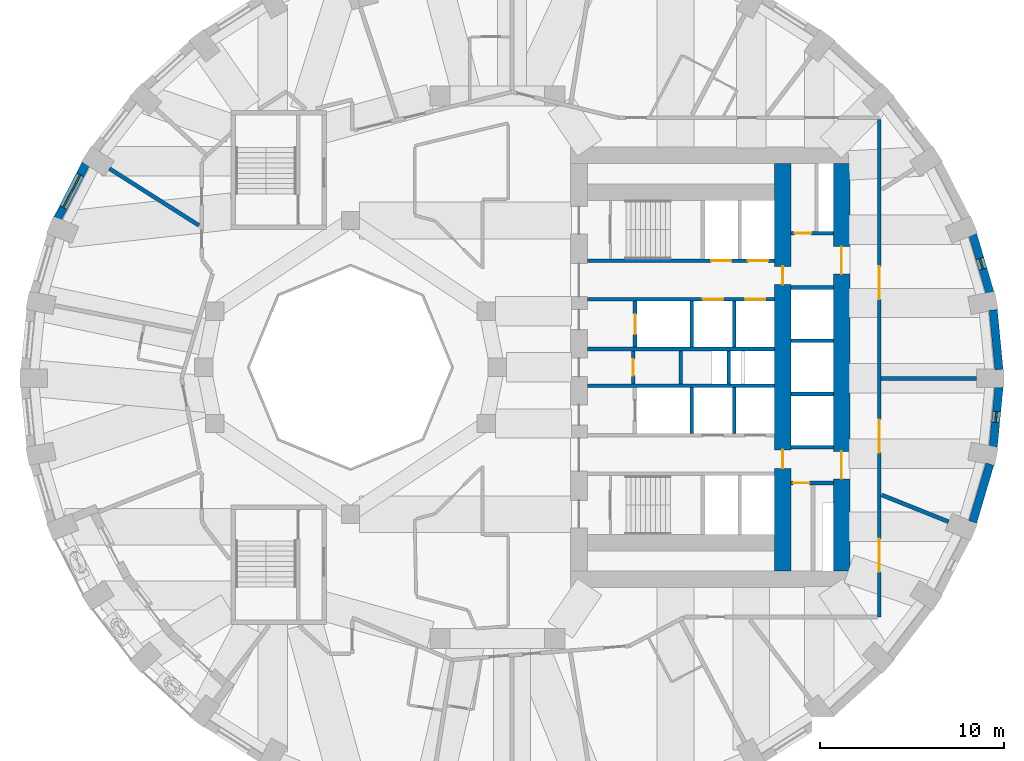
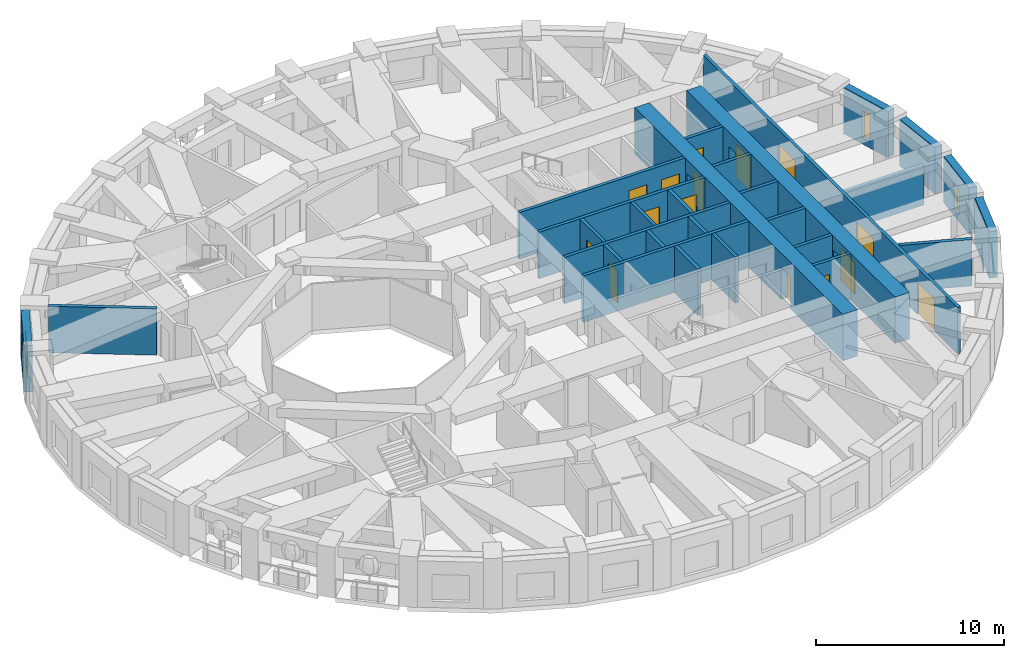
# One storey, part 6 of 12: 29 walls, 15 doors, 3 windows, 18 openings.
"""IFC4 building model written with IfcOpenShell, lengths in metres."""

import ifcopenshell
import ifcopenshell.guid

model = None  # the IFC model being written
_history = None  # IfcOwnerHistory: only IFC2X3 demands one
_inside = {}  # id of a spatial element -> (the spatial element, [elements in it])
_under = {}  # id of a project, library or spatial element -> (it, [spatial elements below it])
_declared = {}  # id of a project -> (the project, [libraries it declares])
_typed = {}  # id of a type object -> (the type object, [elements of that type])
_made_of = {}  # id of a material, layer set ... -> (it, [elements and type objects made of it])


def new_model(schema):
    """Start an empty IFC model of exactly this schema.

    Asked for "IFC4X3", IfcOpenShell would pick the latest addendum, in which some entities
    have other attributes; the version numbers below select the first issue.
    IFC2X3 requires an IfcOwnerHistory on every rooted entity: one is made here for all.
    """
    global model, _history
    if schema == "IFC4X3":
        model = ifcopenshell.file(schema_version=(4, 3, 0, 0))
    else:
        model = ifcopenshell.file(schema=schema)
    _inside.clear()
    _under.clear()
    _declared.clear()
    _typed.clear()
    _made_of.clear()
    _history = None
    if model.schema == "IFC2X3":
        org = make("IfcOrganization", Name="unknown")
        user = make(
            "IfcPersonAndOrganization",
            ThePerson=make("IfcPerson", FamilyName="unknown"),
            TheOrganization=org,
        )
        app = make(
            "IfcApplication",
            ApplicationDeveloper=org,
            Version="unknown",
            ApplicationFullName="unknown",
            ApplicationIdentifier="unknown",
        )
        _history = make(
            "IfcOwnerHistory",
            OwningUser=user,
            OwningApplication=app,
            ChangeAction="ADDED",
            CreationDate=0,
        )
    return model


def make(cls, **values):
    """One entity of the class cls with the attributes given. An attribute that is None is left unset."""
    return model.create_entity(
        cls, **{name: value for name, value in values.items() if value is not None}
    )


def rooted(cls, **values):
    """An entity with a GlobalId (a new one), such as an element, a storey or a relation."""
    return make(cls, GlobalId=ifcopenshell.guid.new(), OwnerHistory=_history, **values)


def si_unit(unit_type, name, prefix=None):
    """IfcSIUnit, for example si_unit("LENGTHUNIT", "METRE", prefix="MILLI")."""
    return make("IfcSIUnit", UnitType=unit_type, Prefix=prefix, Name=name)


def assignment(units):
    """IfcUnitAssignment: the units of a project."""
    return None if units is None else make("IfcUnitAssignment", Units=units)


def point(xyz):
    """IfcCartesianPoint."""
    return None if xyz is None else make("IfcCartesianPoint", Coordinates=xyz)


def direction(xyz):
    """IfcDirection."""
    return None if xyz is None else make("IfcDirection", DirectionRatios=xyz)


def frame(location, z_axis=None, x_axis=None):
    """IfcAxis2Placement3D, a coordinate frame: its origin and axes. An axis left out is left unset."""
    return make(
        "IfcAxis2Placement3D",
        Location=point(location),
        Axis=direction(z_axis),
        RefDirection=direction(x_axis),
    )


def frame_2d(location, x_axis=None):
    """IfcAxis2Placement2D, a coordinate frame in the plane: its origin and x axis."""
    return make(
        "IfcAxis2Placement2D", Location=point(location), RefDirection=direction(x_axis)
    )


def origin():
    """The frame at (0, 0, 0) with its axes left unset."""
    return frame((0.0, 0.0, 0.0))


def place(relative_to, where):
    """IfcLocalPlacement: puts the frame where relative to a parent placement (None: the world)."""
    return make(
        "IfcLocalPlacement", PlacementRelTo=relative_to, RelativePlacement=where
    )


def context(
    kind, dimensions, precision=None, world=None, true_north=None, identifier=None
):
    """IfcGeometricRepresentationContext, for example the 3D "Model" context."""
    return make(
        "IfcGeometricRepresentationContext",
        ContextIdentifier=identifier,
        ContextType=kind,
        CoordinateSpaceDimension=dimensions,
        Precision=precision,
        WorldCoordinateSystem=world,
        TrueNorth=true_north,
    )


def subcontext(parent, identifier, kind, view, scale=None):
    """IfcGeometricRepresentationSubContext, for example "Body" below "Model"."""
    return make(
        "IfcGeometricRepresentationSubContext",
        ContextIdentifier=identifier,
        ContextType=kind,
        ParentContext=parent,
        TargetScale=scale,
        TargetView=view,
    )


def project(units=None, contexts=None):
    """IfcProject with its units and contexts."""
    return rooted(
        "IfcProject",
        Name="project",
        RepresentationContexts=contexts,
        UnitsInContext=assignment(units),
    )


def spatial(cls, under=None, at=None, **own):
    """A site, building, storey or space (cls), placed at a placement, below another one or the project."""
    s = rooted(cls, ObjectPlacement=at, **own)
    if under is not None:
        _under.setdefault(under.id(), (under, []))[1].append(s)
    return s


def profile(cls, at=None, kind="AREA", **sizes):
    """A parametric profile (cls). Its sizes go by their IFC names, for example OverallWidth=200.0."""
    return make(cls, ProfileType=kind, Position=at, **sizes)


def rectangle(**sizes):
    """IfcRectangleProfileDef."""
    return profile("IfcRectangleProfileDef", **sizes)


def extrude(swept, where, along, depth):
    """IfcExtrudedAreaSolid: the profile swept, set in the frame where, extruded along a direction by depth."""
    return make(
        "IfcExtrudedAreaSolid",
        SweptArea=swept,
        Position=where,
        ExtrudedDirection=direction(along),
        Depth=depth,
    )


def shape(context_of_items, identifier, shape_type, items):
    """IfcShapeRepresentation: the items that make up one representation, for example the "Body"."""
    return make(
        "IfcShapeRepresentation",
        ContextOfItems=context_of_items,
        RepresentationIdentifier=identifier,
        RepresentationType=shape_type,
        Items=items,
    )


def material(Name=None, Category=None):
    """IfcMaterial."""
    return make("IfcMaterial", Name=Name, Category=Category)


def layer(
    of_material, thickness, ventilated=None, Name=None, Category=None, Priority=None
):
    """IfcMaterialLayer: one layer of a wall or slab, of a material (None: an air gap)."""
    return make(
        "IfcMaterialLayer",
        Material=of_material,
        LayerThickness=thickness,
        IsVentilated=ventilated,
        Name=Name,
        Category=Category,
        Priority=Priority,
    )


def layer_set(layers, Name=None):
    """IfcMaterialLayerSet."""
    return make("IfcMaterialLayerSet", MaterialLayers=layers, LayerSetName=Name)


def made_of(thing, what):
    """Note that an element or type object is made of a material, layer set ...; save() writes the relation."""
    if what is not None:
        _made_of.setdefault(what.id(), (what, []))[1].append(thing)
    return thing


def type_object(cls, material=None, **own):
    """A type object (cls), such as IfcWallType, which elements share."""
    return made_of(rooted(cls, **own), material)


def element(
    cls,
    number,
    at=None,
    inside=None,
    cuts=None,
    type_object=None,
    material=None,
    context=None,
    identifier="Body",
    shape_type=None,
    held_by="IfcProductDefinitionShape",
    body=None,
    shapes=None,
    **own,
):
    """One element of the class cls, such as IfcWall. Its Tag is "e" and its number.

    at: its placement. inside: the storey or other place that contains it. cuts: it is an
    opening in that element (IfcRelVoidsElement). A single representation is given by context,
    identifier, shape_type and body (its items); several are given by shapes. held_by: the class
    of the entity that holds the representations. save() writes the other relations.
    """
    e = rooted(cls, Tag="e%d" % number, ObjectPlacement=at, **own)
    if body is not None:
        shapes = [shape(context, identifier, shape_type, body)]
    if shapes is not None:
        e.Representation = make(held_by, Representations=shapes)
    if inside is not None:
        _inside.setdefault(inside.id(), (inside, []))[1].append(e)
    if cuts is not None:
        rooted(
            "IfcRelVoidsElement", RelatingBuildingElement=cuts, RelatedOpeningElement=e
        )
    if type_object is not None:
        _typed.setdefault(type_object.id(), (type_object, []))[1].append(e)
    return made_of(e, material)


def fill(opening, filler):
    """IfcRelFillsElement: the door or window that sits in an opening."""
    return rooted(
        "IfcRelFillsElement",
        RelatingOpeningElement=opening,
        RelatedBuildingElement=filler,
    )


def aggregate(whole, parts):
    """IfcRelAggregates: a whole, such as a stair, and the parts it consists of."""
    return rooted("IfcRelAggregates", RelatingObject=whole, RelatedObjects=parts)


def save(model, path):
    """Write the relations noted so far, then the file.

    IfcRelAggregates (storeys below a building ...), IfcRelContainedInSpatialStructure (elements
    in a storey), IfcRelDefinesByType, IfcRelAssociatesMaterial and IfcRelDeclares: one each for
    every whole, place, type object, material and project.
    """
    for whole, parts in _under.values():
        aggregate(whole, parts)
    for where, things in _inside.values():
        rooted(
            "IfcRelContainedInSpatialStructure",
            RelatedElements=things,
            RelatingStructure=where,
        )
    for kind, things in _typed.values():
        rooted("IfcRelDefinesByType", RelatedObjects=things, RelatingType=kind)
    for what, things in _made_of.values():
        rooted("IfcRelAssociatesMaterial", RelatedObjects=things, RelatingMaterial=what)
    for by, libraries in _declared.values():
        rooted("IfcRelDeclares", RelatingContext=by, RelatedDefinitions=libraries)
    model.write(path)


model = new_model("IFC4")

# Units and contexts
model_context = context("Model", 3, precision=1e-05, world=origin(), true_north=direction((0.0, 1.0)))
body_context = subcontext(model_context, "Body", "Model", "MODEL_VIEW")
ifc_project = project(units=[si_unit("LENGTHUNIT", "METRE"), si_unit("AREAUNIT", "SQUARE_METRE"), si_unit("VOLUMEUNIT", "CUBIC_METRE"), si_unit("PLANEANGLEUNIT", "RADIAN"), si_unit("MASSUNIT", "GRAM", prefix="KILO")], contexts=[model_context])

# Site, building, storey
site_placement = place(None, origin())
site = spatial("IfcSite", under=ifc_project, at=site_placement, CompositionType="ELEMENT")
building_placement = place(site_placement, origin())
building = spatial("IfcBuilding", under=site, at=building_placement, Name="Taillehof Tower", CompositionType="ELEMENT")
storey_placement = place(building_placement, frame((0.0, 0.0, 88.89990234375)))
storey = spatial("IfcBuildingStorey", under=building, at=storey_placement, Name="L24", CompositionType="ELEMENT", Elevation=88.89990234375)

# Wall
ifc_material_1 = material(Name="Brick masonry", Category="masonry")
ifc_layer_1 = layer(ifc_material_1, 0.449951171875)
ifc_layer_set_1 = layer_set([ifc_layer_1], Name="Brick infill wall 450")
wall_type_1 = type_object("IfcWallType", Name="Brick infill wall 450", PredefinedType="SOLIDWALL", material=ifc_layer_set_1)
wall_1_placement = place(storey_placement, frame((27.32763671875, -0.119873046875, 0.0), z_axis=(0.0, 0.0, 1.0), x_axis=(-0.09589355735, 0.995391594127, 0.0)))
element("IfcWall", 1, at=wall_1_placement, inside=storey, type_object=wall_type_1, Name="Brick wall L24 bay 1", PredefinedType="SOLIDWALL", context=body_context, shape_type="SweptSolid", body=[
    extrude(rectangle(XDim=3.261474609375, YDim=0.449951171875, at=frame_2d((1.630859375, 0.0))), origin(), (0.0, 0.0, 1.0), 3.02001953125),
])

# Wall, opening, window
wall_2_placement = place(storey_placement, frame((26.83203125, 4.069091796875, 0.0), z_axis=(0.0, 0.0, 1.0), x_axis=(-0.283002902729, 0.959119052593, 0.0)))
wall_2 = element("IfcWall", 2, at=wall_2_placement, inside=storey, type_object=wall_type_1, Name="Brick wall L24 bay 2", PredefinedType="SOLIDWALL", context=body_context, shape_type="SweptSolid", body=[
    extrude(rectangle(XDim=3.285888671875, YDim=0.449951171875, at=frame_2d((1.64306640625, 0.0))), origin(), (0.0, 0.0, 1.0), 3.02001953125),
])
opening_1_placement = place(wall_2_placement, frame((1.343017578125, 0.0, 0.39990234375)))
opening_1 = element("IfcOpeningElement", 3, at=opening_1_placement, cuts=wall_2, Name="Opening W6", PredefinedType="OPENING", context=body_context, shape_type="SweptSolid", body=[
    extrude(rectangle(XDim=0.60009765625, YDim=1.75, at=frame_2d((0.300048828125, 0.875))), frame((0.0, 0.23486328125, 0.0), z_axis=(0.0, -1.0, 0.0), x_axis=(1.0, 0.0, 0.0)), (0.0, 0.0, 1.0), 0.469970703125),
])
ifc_material_2 = material(Name="Aluminium window frame with clear double glazing", Category="aluminium")
window_type_1 = type_object("IfcWindowType", Name="Slot window 600x1750", PartitioningType="SINGLE_PANEL", PredefinedType="WINDOW", material=ifc_material_2)
window_1_placement = place(opening_1_placement, origin())
window_1 = element("IfcWindow", 4, at=window_1_placement, inside=storey, type_object=window_type_1, Name="W6", OverallHeight=1.75, OverallWidth=0.60009765625, PartitioningType="SINGLE_PANEL", PredefinedType="WINDOW", context=body_context, shape_type="SweptSolid", body=[
    extrude(rectangle(XDim=0.60009765625, YDim=1.75, at=frame_2d((0.300048828125, 0.875))), frame((0.0, 0.034912109375, 0.0), z_axis=(0.0, -1.0, 0.0), x_axis=(1.0, 0.0, 0.0)), (0.0, 0.0, 1.0), 0.06005859375),
])
fill(opening_1, window_1)

wall_3_placement = place(storey_placement, frame((-22.4228515625, 11.076904296875, 0.0), z_axis=(0.0, 0.0, 1.0), x_axis=(-0.456828186229, -0.889554949549, 0.0)))
wall_3 = element("IfcWall", 5, at=wall_3_placement, inside=storey, type_object=wall_type_1, Name="Brick wall L24 bay 16", PredefinedType="SOLIDWALL", context=body_context, shape_type="SweptSolid", body=[
    extrude(rectangle(XDim=3.332763671875, YDim=0.449951171875, at=frame_2d((1.66650390625, 0.0))), origin(), (0.0, 0.0, 1.0), 3.02001953125),
])
opening_2_placement = place(wall_3_placement, frame((0.666259765625, 0.0, 0.39990234375)))
opening_2 = element("IfcOpeningElement", 6, at=opening_2_placement, cuts=wall_3, Name="Opening W2", PredefinedType="OPENING", context=body_context, shape_type="SweptSolid", body=[
    extrude(rectangle(XDim=2.0, YDim=1.75, at=frame_2d((1.0, 0.875))), frame((0.0, 0.23486328125, 0.0), z_axis=(0.0, -1.0, 0.0), x_axis=(1.0, 0.0, 0.0)), (0.0, 0.0, 1.0), 0.469970703125),
])
ifc_material_3 = material(Name="Aluminium window frame with clear double glazing", Category="aluminium")
window_type_2 = type_object("IfcWindowType", Name="Deep-set window 2000x1750", PartitioningType="SINGLE_PANEL", PredefinedType="WINDOW", material=ifc_material_3)
window_2_placement = place(opening_2_placement, origin())
window_2 = element("IfcWindow", 7, at=window_2_placement, inside=storey, type_object=window_type_2, Name="W2", OverallHeight=1.75, OverallWidth=2.0, PartitioningType="SINGLE_PANEL", PredefinedType="WINDOW", context=body_context, shape_type="SweptSolid", body=[
    extrude(rectangle(XDim=2.0, YDim=1.75, at=frame_2d((1.0, 0.875))), frame((0.0, 0.034912109375, 0.0), z_axis=(0.0, -1.0, 0.0), x_axis=(1.0, 0.0, 0.0)), (0.0, 0.0, 1.0), 0.06005859375),
])
fill(opening_2, window_2)

# Wall
wall_4_placement = place(storey_placement, frame((25.902099609375, -8.4208984375, 0.0), z_axis=(0.0, 0.0, 1.0), x_axis=(0.282982737009, 0.95912500257, 0.0)))
element("IfcWall", 8, at=wall_4_placement, inside=storey, type_object=wall_type_1, Name="Brick wall L24 bay 35", PredefinedType="SOLIDWALL", context=body_context, shape_type="SweptSolid", body=[
    extrude(rectangle(XDim=3.2861328125, YDim=0.449951171875, at=frame_2d((1.64306640625, 0.0))), origin(), (0.0, 0.0, 1.0), 3.02001953125),
])

# Wall, opening, window
wall_5_placement = place(storey_placement, frame((27.014892578125, -4.326416015625, 0.0), z_axis=(0.0, 0.0, 1.0), x_axis=(0.09589355735, 0.995391594127, 0.0)))
wall_5 = element("IfcWall", 9, at=wall_5_placement, inside=storey, type_object=wall_type_1, Name="Brick wall L24 bay 36", PredefinedType="SOLIDWALL", context=body_context, shape_type="SweptSolid", body=[
    extrude(rectangle(XDim=3.261474609375, YDim=0.449951171875, at=frame_2d((1.630859375, 0.0))), origin(), (0.0, 0.0, 1.0), 3.02001953125),
])
opening_3_placement = place(wall_5_placement, frame((1.33056640625, 0.0, 0.39990234375)))
opening_3 = element("IfcOpeningElement", 10, at=opening_3_placement, cuts=wall_5, Name="Opening W6", PredefinedType="OPENING", context=body_context, shape_type="SweptSolid", body=[
    extrude(rectangle(XDim=0.60009765625, YDim=1.75, at=frame_2d((0.300048828125, 0.875))), frame((0.0, 0.23486328125, 0.0), z_axis=(0.0, -1.0, 0.0), x_axis=(1.0, 0.0, 0.0)), (0.0, 0.0, 1.0), 0.469970703125),
])
window_3_placement = place(opening_3_placement, origin())
window_3 = element("IfcWindow", 11, at=window_3_placement, inside=storey, type_object=window_type_1, Name="W6", OverallHeight=1.75, OverallWidth=0.60009765625, PartitioningType="SINGLE_PANEL", PredefinedType="WINDOW", context=body_context, shape_type="SweptSolid", body=[
    extrude(rectangle(XDim=0.60009765625, YDim=1.75, at=frame_2d((0.300048828125, 0.875))), frame((0.0, 0.034912109375, 0.0), z_axis=(0.0, -1.0, 0.0), x_axis=(1.0, 0.0, 0.0)), (0.0, 0.0, 1.0), 0.06005859375),
])
fill(opening_3, window_3)

# Wall, opening, door
ifc_material_4 = material(Name="Calcium silicate masonry", Category="masonry")
ifc_layer_2 = layer(ifc_material_4, 0.199951171875)
ifc_layer_set_2 = layer_set([ifc_layer_2], Name="Compartment wall calcium silicate 200")
wall_type_2 = type_object("IfcWallType", Name="Compartment wall calcium silicate 200", PredefinedType="PARTITIONING", material=ifc_layer_set_2)
wall_6_placement = place(storey_placement, frame((7.39990234375, -0.89990234375, 0.0), z_axis=(0.0, 0.0, 1.0), x_axis=(0.0, 1.0, 0.0)))
wall_6 = element("IfcWall", 12, at=wall_6_placement, inside=storey, type_object=wall_type_2, Name="Compartment wall FW", PredefinedType="PARTITIONING", context=body_context, shape_type="SweptSolid", body=[
    extrude(rectangle(XDim=1.7998046875, YDim=0.199951171875, at=frame_2d((0.89990234375, 0.0))), origin(), (0.0, 0.0, 1.0), 3.02001953125),
])
opening_4_placement = place(wall_6_placement, frame((0.449951171875, 0.0, 0.0)))
opening_4 = element("IfcOpeningElement", 13, at=opening_4_placement, cuts=wall_6, Name="Opening D2414", PredefinedType="OPENING", context=body_context, shape_type="SweptSolid", body=[
    extrude(rectangle(XDim=0.89990234375, YDim=2.10009765625, at=frame_2d((0.449951171875, 1.050048828125))), frame((0.0, 0.10986328125, 0.0), z_axis=(0.0, -1.0, 0.0), x_axis=(1.0, 0.0, 0.0)), (0.0, 0.0, 1.0), 0.219970703125),
])
ifc_material_5 = material(Name="Steel-faced fire door", Category="steel")
door_type_1 = type_object("IfcDoorType", Name="Riser and service room door 900x2100", OperationType="SINGLE_SWING_LEFT", PredefinedType="DOOR", material=ifc_material_5)
door_1_placement = place(opening_4_placement, origin())
door_1 = element("IfcDoor", 14, at=door_1_placement, inside=storey, type_object=door_type_1, Name="Door Waste Room", OperationType="SINGLE_SWING_RIGHT", OverallHeight=2.10009765625, OverallWidth=0.89990234375, PredefinedType="DOOR", context=body_context, shape_type="SweptSolid", body=[
    extrude(rectangle(XDim=0.89990234375, YDim=2.10009765625, at=frame_2d((0.449951171875, 1.050048828125))), frame((0.0, 0.02490234375, 0.0), z_axis=(0.0, -1.0, 0.0), x_axis=(1.0, 0.0, 0.0)), (0.0, 0.0, 1.0), 0.050048828125),
])
fill(opening_4, door_1)

# Walls
for number, where, z_axis, x_axis, name in (
    (15, (10.0, -0.89990234375, 0.0), (0.0, 0.0, 1.0), (0.0, 1.0, 0.0), "Compartment wall FW"),
    (16, (12.60009765625, -0.89990234375, 0.0), (0.0, 0.0, 1.0), (0.0, 1.0, 0.0), "Compartment wall FW"),
):
    element("IfcWall", number, at=place(storey_placement, frame(where, z_axis=z_axis, x_axis=x_axis)), inside=storey, type_object=wall_type_2, Name=name, PredefinedType="PARTITIONING", context=body_context, shape_type="SweptSolid", body=[
        extrude(rectangle(XDim=1.7998046875, YDim=0.199951171875, at=frame_2d((0.89990234375, 0.0))), origin(), (0.0, 0.0, 1.0), 3.02001953125),
    ])

# Wall, opening, door
wall_7_placement = place(storey_placement, frame((16.0, 7.300048828125, 0.0), z_axis=(0.0, 0.0, 1.0), x_axis=(1.0, 0.0, 0.0)))
wall_7 = element("IfcWall", 17, at=wall_7_placement, inside=storey, type_object=wall_type_2, Name="Compartment wall FW", PredefinedType="PARTITIONING", context=body_context, shape_type="SweptSolid", body=[
    extrude(rectangle(XDim=2.300048828125, YDim=0.199951171875, at=frame_2d((1.14990234375, 0.0))), origin(), (0.0, 0.0, 1.0), 3.02001953125),
])
opening_5_placement = place(wall_7_placement, frame((0.199951171875, 0.0, 0.0)))
opening_5 = element("IfcOpeningElement", 18, at=opening_5_placement, cuts=wall_7, Name="Opening D2416", PredefinedType="OPENING", context=body_context, shape_type="SweptSolid", body=[
    extrude(rectangle(XDim=0.89990234375, YDim=2.10009765625, at=frame_2d((0.449951171875, 1.050048828125))), frame((0.0, 0.10986328125, 0.0), z_axis=(0.0, -1.0, 0.0), x_axis=(1.0, 0.0, 0.0)), (0.0, 0.0, 1.0), 0.219970703125),
])
door_2_placement = place(opening_5_placement, origin())
door_2 = element("IfcDoor", 19, at=door_2_placement, inside=storey, type_object=door_type_1, Name="Door Electrical Room", OperationType="SINGLE_SWING_RIGHT", OverallHeight=2.10009765625, OverallWidth=0.89990234375, PredefinedType="DOOR", context=body_context, shape_type="SweptSolid", body=[
    extrude(rectangle(XDim=0.89990234375, YDim=2.10009765625, at=frame_2d((0.449951171875, 1.050048828125))), frame((0.0, 0.02490234375, 0.0), z_axis=(0.0, -1.0, 0.0), x_axis=(1.0, 0.0, 0.0)), (0.0, 0.0, 1.0), 0.050048828125),
])
fill(opening_5, door_2)

wall_8_placement = place(storey_placement, frame((16.0, -6.300048828125, 0.0), z_axis=(0.0, 0.0, 1.0), x_axis=(1.0, 0.0, 0.0)))
wall_8 = element("IfcWall", 20, at=wall_8_placement, inside=storey, type_object=wall_type_2, Name="Compartment wall FW", PredefinedType="PARTITIONING", context=body_context, shape_type="SweptSolid", body=[
    extrude(rectangle(XDim=2.300048828125, YDim=0.199951171875, at=frame_2d((1.14990234375, 0.0))), origin(), (0.0, 0.0, 1.0), 3.02001953125),
])
opening_6_placement = place(wall_8_placement, frame((0.10009765625, 0.0, 0.0)))
opening_6 = element("IfcOpeningElement", 21, at=opening_6_placement, cuts=wall_8, Name="Opening D2418", PredefinedType="OPENING", context=body_context, shape_type="SweptSolid", body=[
    extrude(rectangle(XDim=0.89990234375, YDim=2.10009765625, at=frame_2d((0.449951171875, 1.050048828125))), frame((0.0, 0.10986328125, 0.0), z_axis=(0.0, -1.0, 0.0), x_axis=(1.0, 0.0, 0.0)), (0.0, 0.0, 1.0), 0.219970703125),
])
door_3_placement = place(opening_6_placement, origin())
door_3 = element("IfcDoor", 22, at=door_3_placement, inside=storey, type_object=door_type_1, Name="Door Comms Room", OperationType="SINGLE_SWING_LEFT", OverallHeight=2.10009765625, OverallWidth=0.89990234375, PredefinedType="DOOR", context=body_context, shape_type="SweptSolid", body=[
    extrude(rectangle(XDim=0.89990234375, YDim=2.10009765625, at=frame_2d((0.449951171875, 1.050048828125))), frame((0.0, 0.02490234375, 0.0), z_axis=(0.0, -1.0, 0.0), x_axis=(1.0, 0.0, 0.0)), (0.0, 0.0, 1.0), 0.050048828125),
])
fill(opening_6, door_3)

# Wall, openings, doors
ifc_material_6 = material(Name="Gypsum board on steel studs, two layers each side", Category="steel")
ifc_layer_3 = layer(ifc_material_6, 0.199951171875)
ifc_layer_set_3 = layer_set([ifc_layer_3], Name="Compartment wall corridor 200")
wall_type_3 = type_object("IfcWallType", Name="Compartment wall corridor 200", PredefinedType="PARTITIONING", material=ifc_layer_set_3)
wall_9_placement = place(storey_placement, frame((20.800048828125, 13.5, 0.0), z_axis=(0.0, 0.0, 1.0), x_axis=(0.0, -1.0, 0.0)))
wall_9 = element("IfcWall", 23, at=wall_9_placement, inside=storey, type_object=wall_type_3, Name="Compartment wall", PredefinedType="PARTITIONING", context=body_context, shape_type="SweptSolid", body=[
    extrude(rectangle(XDim=27.10009765625, YDim=0.199951171875, at=frame_2d((13.550048828125, 0.0))), origin(), (0.0, 0.0, 1.0), 3.02001953125),
])
opening_7_placement = place(wall_9_placement, frame((22.84375, 0.0, 0.0)))
opening_7 = element("IfcOpeningElement", 24, at=opening_7_placement, cuts=wall_9, Name="Opening D2461", PredefinedType="OPENING", context=body_context, shape_type="SweptSolid", body=[
    extrude(rectangle(XDim=1.800048828125, YDim=2.10009765625, at=frame_2d((0.89990234375, 1.050048828125))), frame((0.0, 0.10986328125, 0.0), z_axis=(0.0, -1.0, 0.0), x_axis=(1.0, 0.0, 0.0)), (0.0, 0.0, 1.0), 0.219970703125),
])
opening_8_placement = place(wall_9_placement, frame((16.349609375, 0.0, 0.0)))
opening_8 = element("IfcOpeningElement", 25, at=opening_8_placement, cuts=wall_9, Name="Opening D2462", PredefinedType="OPENING", context=body_context, shape_type="SweptSolid", body=[
    extrude(rectangle(XDim=1.800048828125, YDim=2.10009765625, at=frame_2d((0.89990234375, 1.050048828125))), frame((0.0, 0.10986328125, 0.0), z_axis=(0.0, -1.0, 0.0), x_axis=(1.0, 0.0, 0.0)), (0.0, 0.0, 1.0), 0.219970703125),
])
opening_9_placement = place(wall_9_placement, frame((7.99609375, 0.0, 0.0)))
opening_9 = element("IfcOpeningElement", 26, at=opening_9_placement, cuts=wall_9, Name="Opening D2463", PredefinedType="OPENING", context=body_context, shape_type="SweptSolid", body=[
    extrude(rectangle(XDim=1.800048828125, YDim=2.10009765625, at=frame_2d((0.89990234375, 1.050048828125))), frame((0.0, 0.10986328125, 0.0), z_axis=(0.0, -1.0, 0.0), x_axis=(1.0, 0.0, 0.0)), (0.0, 0.0, 1.0), 0.219970703125),
])
ifc_material_7 = material(Name="Timber door leaf in steel frame", Category="steel")
door_type_2 = type_object("IfcDoorType", Name="Lounge and meeting room double door EI 30 1800 x 2100", OperationType="SINGLE_SWING_LEFT", PredefinedType="DOOR", material=ifc_material_7)
door_4_placement = place(opening_7_placement, origin())
door_4 = element("IfcDoor", 27, at=door_4_placement, inside=storey, type_object=door_type_2, Name="D2461", OperationType="DOUBLE_DOOR_SINGLE_SWING", OverallHeight=2.10009765625, OverallWidth=1.800048828125, PredefinedType="DOOR", context=body_context, shape_type="SweptSolid", body=[
    extrude(rectangle(XDim=1.800048828125, YDim=2.10009765625, at=frame_2d((0.89990234375, 1.050048828125))), frame((0.0, 0.02490234375, 0.0), z_axis=(0.0, -1.0, 0.0), x_axis=(1.0, 0.0, 0.0)), (0.0, 0.0, 1.0), 0.050048828125),
])
fill(opening_7, door_4)
door_5_placement = place(opening_8_placement, origin())
door_5 = element("IfcDoor", 28, at=door_5_placement, inside=storey, type_object=door_type_2, Name="D2462", OperationType="DOUBLE_DOOR_SINGLE_SWING", OverallHeight=2.10009765625, OverallWidth=1.800048828125, PredefinedType="DOOR", context=body_context, shape_type="SweptSolid", body=[
    extrude(rectangle(XDim=1.800048828125, YDim=2.10009765625, at=frame_2d((0.89990234375, 1.050048828125))), frame((0.0, 0.02490234375, 0.0), z_axis=(0.0, -1.0, 0.0), x_axis=(1.0, 0.0, 0.0)), (0.0, 0.0, 1.0), 0.050048828125),
])
fill(opening_8, door_5)
door_6_placement = place(opening_9_placement, origin())
door_6 = element("IfcDoor", 29, at=door_6_placement, inside=storey, type_object=door_type_2, Name="D2463", OperationType="DOUBLE_DOOR_SINGLE_SWING", OverallHeight=2.10009765625, OverallWidth=1.800048828125, PredefinedType="DOOR", context=body_context, shape_type="SweptSolid", body=[
    extrude(rectangle(XDim=1.800048828125, YDim=2.10009765625, at=frame_2d((0.89990234375, 1.050048828125))), frame((0.0, 0.02490234375, 0.0), z_axis=(0.0, -1.0, 0.0), x_axis=(1.0, 0.0, 0.0)), (0.0, 0.0, 1.0), 0.050048828125),
])
fill(opening_9, door_6)

# Walls
ifc_material_8 = material(Name="Gypsum board on double steel studs with mineral wool", Category="steel")
ifc_layer_4 = layer(ifc_material_8, 0.219970703125)
ifc_layer_set_4 = layer_set([ifc_layer_4], Name="Compartment wall guest room 220")
wall_type_4 = type_object("IfcWallType", Name="Compartment wall guest room 220", PredefinedType="PARTITIONING", material=ifc_layer_set_4)
wall_10_placement = place(storey_placement, frame((26.10009765625, -0.60009765625, 0.0), z_axis=(0.0, 0.0, 1.0), x_axis=(-1.0, 0.0, 0.0)))
element("IfcWall", 30, at=wall_10_placement, inside=storey, type_object=wall_type_4, Name="Compartment wall", PredefinedType="PARTITIONING", context=body_context, shape_type="SweptSolid", body=[
    extrude(rectangle(XDim=5.199951171875, YDim=0.219970703125, at=frame_2d((2.60009765625, 0.0))), origin(), (0.0, 0.0, 1.0), 2.570068359375),
])
wall_11_placement = place(storey_placement, frame((-21.12646484375, 10.8232421875, 0.0), z_axis=(0.0, 0.0, 1.0), x_axis=(0.844518840625, -0.535525842355, 0.0)))
element("IfcWall", 31, at=wall_11_placement, inside=storey, type_object=wall_type_4, Name="Compartment wall", PredefinedType="PARTITIONING", context=body_context, shape_type="SweptSolid", body=[
    extrude(rectangle(XDim=5.7734375, YDim=0.219970703125, at=frame_2d((2.88671875, 0.0))), origin(), (0.0, 0.0, 1.0), 3.02001953125),
])
wall_12_placement = place(storey_placement, frame((24.58251953125, -8.410400390625, 0.0), z_axis=(0.0, 0.0, 1.0), x_axis=(-0.928528147853, 0.371262008083, 0.0)))
element("IfcWall", 32, at=wall_12_placement, inside=storey, type_object=wall_type_4, Name="Compartment wall", PredefinedType="PARTITIONING", context=body_context, shape_type="SweptSolid", body=[
    extrude(rectangle(XDim=3.92578125, YDim=0.219970703125, at=frame_2d((1.962890625, 0.0))), origin(), (0.0, 0.0, 1.0), 3.02001953125),
])

# Wall, openings, doors
ifc_material_9 = material(Name="Concrete C80/95", Category="concrete")
ifc_layer_5 = layer(ifc_material_9, 0.89990234375)
ifc_layer_set_5 = layer_set([ifc_layer_5], Name="Core wall C80/95 900")
wall_type_5 = type_object("IfcWallType", Name="Core wall C80/95 900", PredefinedType="SHEAR", material=ifc_layer_set_5)
wall_13_placement = place(storey_placement, frame((18.75, -11.10009765625, 0.0), z_axis=(0.0, 0.0, 1.0), x_axis=(0.0, 1.0, 0.0)))
wall_13 = element("IfcWall", 33, at=wall_13_placement, inside=storey, type_object=wall_type_5, Name="Core wall CW02", PredefinedType="SHEAR", context=body_context, shape_type="SweptSolid", body=[
    extrude(rectangle(XDim=22.2001953125, YDim=0.89990234375, at=frame_2d((11.10009765625, 0.0))), origin(), (0.0, 0.0, 1.0), 3.02001953125),
])
opening_10_placement = place(wall_13_placement, frame((16.175048828125, 0.0, 0.0)))
opening_10 = element("IfcOpeningElement", 34, at=opening_10_placement, cuts=wall_13, Name="Opening D2408", PredefinedType="OPENING", context=body_context, shape_type="SweptSolid", body=[
    extrude(rectangle(XDim=1.5, YDim=2.10009765625, at=frame_2d((0.75, 1.050048828125))), frame((0.0, 0.4599609375, 0.0), z_axis=(0.0, -1.0, 0.0), x_axis=(1.0, 0.0, 0.0)), (0.0, 0.0, 1.0), 0.919921875),
])
opening_11_placement = place(wall_13_placement, frame((5.02490234375, 0.0, 0.0)))
opening_11 = element("IfcOpeningElement", 35, at=opening_11_placement, cuts=wall_13, Name="Opening D2409", PredefinedType="OPENING", context=body_context, shape_type="SweptSolid", body=[
    extrude(rectangle(XDim=1.5, YDim=2.10009765625, at=frame_2d((0.75, 1.050048828125))), frame((0.0, 0.4599609375, 0.0), z_axis=(0.0, -1.0, 0.0), x_axis=(1.0, 0.0, 0.0)), (0.0, 0.0, 1.0), 0.919921875),
])
ifc_material_10 = material(Name="Steel-faced fire door", Category="steel")
door_type_3 = type_object("IfcDoorType", Name="Lift lobby east door 1500x2100", OperationType="DOUBLE_DOOR_SINGLE_SWING", PredefinedType="DOOR", material=ifc_material_10)
door_7_placement = place(opening_10_placement, origin())
door_7 = element("IfcDoor", 36, at=door_7_placement, inside=storey, type_object=door_type_3, Name="Lift lobby east door north", OperationType="DOUBLE_DOOR_SINGLE_SWING", OverallHeight=2.10009765625, OverallWidth=1.5, PredefinedType="DOOR", context=body_context, shape_type="SweptSolid", body=[
    extrude(rectangle(XDim=1.5, YDim=2.10009765625, at=frame_2d((0.75, 1.050048828125))), frame((0.0, 0.02490234375, 0.0), z_axis=(0.0, -1.0, 0.0), x_axis=(1.0, 0.0, 0.0)), (0.0, 0.0, 1.0), 0.050048828125),
])
fill(opening_10, door_7)
door_8_placement = place(opening_11_placement, origin())
door_8 = element("IfcDoor", 37, at=door_8_placement, inside=storey, type_object=door_type_3, Name="Lift lobby east door south", OperationType="DOUBLE_DOOR_SINGLE_SWING", OverallHeight=2.10009765625, OverallWidth=1.5, PredefinedType="DOOR", context=body_context, shape_type="SweptSolid", body=[
    extrude(rectangle(XDim=1.5, YDim=2.10009765625, at=frame_2d((0.75, 1.050048828125))), frame((0.0, 0.02490234375, 0.0), z_axis=(0.0, -1.0, 0.0), x_axis=(1.0, 0.0, 0.0)), (0.0, 0.0, 1.0), 0.050048828125),
])
fill(opening_11, door_8)

wall_14_placement = place(storey_placement, frame((15.550048828125, -11.10009765625, 0.0), z_axis=(0.0, 0.0, 1.0), x_axis=(0.0, 1.0, 0.0)))
wall_14 = element("IfcWall", 38, at=wall_14_placement, inside=storey, type_object=wall_type_5, Name="Core wall CW05", PredefinedType="SHEAR", context=body_context, shape_type="SweptSolid", body=[
    extrude(rectangle(XDim=22.2001953125, YDim=0.89990234375, at=frame_2d((11.10009765625, 0.0))), origin(), (0.0, 0.0, 1.0), 3.02001953125),
])
opening_12_placement = place(wall_14_placement, frame((15.60009765625, 0.0, 0.0)))
opening_12 = element("IfcOpeningElement", 39, at=opening_12_placement, cuts=wall_14, Name="Opening D2415", PredefinedType="OPENING", context=body_context, shape_type="SweptSolid", body=[
    extrude(rectangle(XDim=1.0, YDim=2.10009765625, at=frame_2d((0.5, 1.050048828125))), frame((0.0, 0.4599609375, 0.0), z_axis=(0.0, -1.0, 0.0), x_axis=(1.0, 0.0, 0.0)), (0.0, 0.0, 1.0), 0.919921875),
])
opening_13_placement = place(wall_14_placement, frame((5.60009765625, 0.0, 0.0)))
opening_13 = element("IfcOpeningElement", 40, at=opening_13_placement, cuts=wall_14, Name="Opening D2417", PredefinedType="OPENING", context=body_context, shape_type="SweptSolid", body=[
    extrude(rectangle(XDim=1.0, YDim=2.10009765625, at=frame_2d((0.5, 1.050048828125))), frame((0.0, 0.4599609375, 0.0), z_axis=(0.0, -1.0, 0.0), x_axis=(1.0, 0.0, 0.0)), (0.0, 0.0, 1.0), 0.919921875),
])
ifc_material_11 = material(Name="Steel-faced fire door", Category="steel")
door_type_4 = type_object("IfcDoorType", Name="Service door 1000x2100", OperationType="SINGLE_SWING_RIGHT", PredefinedType="DOOR", material=ifc_material_11)
door_9_placement = place(opening_12_placement, origin())
door_9 = element("IfcDoor", 41, at=door_9_placement, inside=storey, type_object=door_type_4, Name="Service door strip", OperationType="SINGLE_SWING_RIGHT", OverallHeight=2.10009765625, OverallWidth=1.0, PredefinedType="DOOR", context=body_context, shape_type="SweptSolid", body=[
    extrude(rectangle(XDim=1.0, YDim=2.10009765625, at=frame_2d((0.5, 1.050048828125))), frame((0.0, 0.02490234375, 0.0), z_axis=(0.0, -1.0, 0.0), x_axis=(1.0, 0.0, 0.0)), (0.0, 0.0, 1.0), 0.050048828125),
])
fill(opening_12, door_9)
door_10_placement = place(opening_13_placement, origin())
door_10 = element("IfcDoor", 42, at=door_10_placement, inside=storey, type_object=door_type_4, Name="Service door strip", OperationType="SINGLE_SWING_LEFT", OverallHeight=2.10009765625, OverallWidth=1.0, PredefinedType="DOOR", context=body_context, shape_type="SweptSolid", body=[
    extrude(rectangle(XDim=1.0, YDim=2.10009765625, at=frame_2d((0.5, 1.050048828125))), frame((0.0, 0.02490234375, 0.0), z_axis=(0.0, -1.0, 0.0), x_axis=(1.0, 0.0, 0.0)), (0.0, 0.0, 1.0), 0.050048828125),
])
fill(opening_13, door_10)

ifc_material_12 = material(Name="Concrete C50/60", Category="concrete")
ifc_layer_6 = layer(ifc_material_12, 0.199951171875)
ifc_layer_set_6 = layer_set([ifc_layer_6], Name="Shaft wall C50/60 200")
wall_type_6 = type_object("IfcWallType", Name="Shaft wall C50/60 200", PredefinedType="SHEAR", material=ifc_layer_set_6)
wall_15_placement = place(storey_placement, frame((4.89990234375, 5.800048828125, 0.0), z_axis=(0.0, 0.0, 1.0), x_axis=(1.0, 0.0, 0.0)))
wall_15 = element("IfcWall", 43, at=wall_15_placement, inside=storey, type_object=wall_type_6, Name="Shaft wall SW", PredefinedType="SHEAR", context=body_context, shape_type="SweptSolid", body=[
    extrude(rectangle(XDim=10.2001953125, YDim=0.199951171875, at=frame_2d((5.10009765625, 0.0))), origin(), (0.0, 0.0, 1.0), 3.02001953125),
])
opening_14_placement = place(wall_15_placement, frame((6.75, 0.0, 0.0)))
opening_14 = element("IfcOpeningElement", 44, at=opening_14_placement, cuts=wall_15, Name="Opening LD1", PredefinedType="OPENING", context=body_context, shape_type="SweptSolid", body=[
    extrude(rectangle(XDim=1.10009765625, YDim=2.10009765625, at=frame_2d((0.550048828125, 1.050048828125))), frame((0.0, 0.10986328125, 0.0), z_axis=(0.0, -1.0, 0.0), x_axis=(1.0, 0.0, 0.0)), (0.0, 0.0, 1.0), 0.219970703125),
])
opening_15_placement = place(wall_15_placement, frame((8.75, 0.0, 0.0)))
opening_15 = element("IfcOpeningElement", 45, at=opening_15_placement, cuts=wall_15, Name="Opening LD1", PredefinedType="OPENING", context=body_context, shape_type="SweptSolid", body=[
    extrude(rectangle(XDim=1.10009765625, YDim=2.10009765625, at=frame_2d((0.550048828125, 1.050048828125))), frame((0.0, 0.10986328125, 0.0), z_axis=(0.0, -1.0, 0.0), x_axis=(1.0, 0.0, 0.0)), (0.0, 0.0, 1.0), 0.219970703125),
])
ifc_material_13 = material(Name="Stainless steel", Category="steel")
door_type_5 = type_object("IfcDoorType", Name="Lift landing door LD1 1100x2100", OperationType="DOUBLE_DOOR_SLIDING", PredefinedType="DOOR", material=ifc_material_13)
door_11_placement = place(opening_14_placement, origin())
door_11 = element("IfcDoor", 46, at=door_11_placement, inside=storey, type_object=door_type_5, Name="Landing door LR1", OperationType="DOUBLE_DOOR_SLIDING", OverallHeight=2.10009765625, OverallWidth=1.10009765625, PredefinedType="DOOR", context=body_context, shape_type="SweptSolid", body=[
    extrude(rectangle(XDim=1.10009765625, YDim=2.10009765625, at=frame_2d((0.550048828125, 1.050048828125))), frame((0.0, 0.02490234375, 0.0), z_axis=(0.0, -1.0, 0.0), x_axis=(1.0, 0.0, 0.0)), (0.0, 0.0, 1.0), 0.050048828125),
])
fill(opening_14, door_11)
door_12_placement = place(opening_15_placement, origin())
door_12 = element("IfcDoor", 47, at=door_12_placement, inside=storey, type_object=door_type_5, Name="Landing door LR2", OperationType="DOUBLE_DOOR_SLIDING", OverallHeight=2.10009765625, OverallWidth=1.10009765625, PredefinedType="DOOR", context=body_context, shape_type="SweptSolid", body=[
    extrude(rectangle(XDim=1.10009765625, YDim=2.10009765625, at=frame_2d((0.550048828125, 1.050048828125))), frame((0.0, 0.02490234375, 0.0), z_axis=(0.0, -1.0, 0.0), x_axis=(1.0, 0.0, 0.0)), (0.0, 0.0, 1.0), 0.050048828125),
])
fill(opening_15, door_12)

wall_16_placement = place(storey_placement, frame((4.89990234375, 3.699951171875, 0.0), z_axis=(0.0, 0.0, 1.0), x_axis=(1.0, 0.0, 0.0)))
wall_16 = element("IfcWall", 48, at=wall_16_placement, inside=storey, type_object=wall_type_6, Name="Shaft wall SW", PredefinedType="SHEAR", context=body_context, shape_type="SweptSolid", body=[
    extrude(rectangle(XDim=10.2001953125, YDim=0.199951171875, at=frame_2d((5.10009765625, 0.0))), origin(), (0.0, 0.0, 1.0), 3.02001953125),
])
opening_16_placement = place(wall_16_placement, frame((6.300048828125, 0.0, 0.0)))
opening_16 = element("IfcOpeningElement", 49, at=opening_16_placement, cuts=wall_16, Name="Opening LD1", PredefinedType="OPENING", context=body_context, shape_type="SweptSolid", body=[
    extrude(rectangle(XDim=1.10009765625, YDim=2.10009765625, at=frame_2d((0.550048828125, 1.050048828125))), frame((0.0, 0.10986328125, 0.0), z_axis=(0.0, -1.0, 0.0), x_axis=(1.0, 0.0, 0.0)), (0.0, 0.0, 1.0), 0.219970703125),
])
opening_17_placement = place(wall_16_placement, frame((8.60009765625, 0.0, 0.0)))
opening_17 = element("IfcOpeningElement", 50, at=opening_17_placement, cuts=wall_16, Name="Opening LD1", PredefinedType="OPENING", context=body_context, shape_type="SweptSolid", body=[
    extrude(rectangle(XDim=1.10009765625, YDim=2.10009765625, at=frame_2d((0.550048828125, 1.050048828125))), frame((0.0, 0.10986328125, 0.0), z_axis=(0.0, -1.0, 0.0), x_axis=(1.0, 0.0, 0.0)), (0.0, 0.0, 1.0), 0.219970703125),
])
door_13_placement = place(opening_16_placement, origin())
door_13 = element("IfcDoor", 51, at=door_13_placement, inside=storey, type_object=door_type_5, Name="Landing door LR3", OperationType="DOUBLE_DOOR_SLIDING", OverallHeight=2.10009765625, OverallWidth=1.10009765625, PredefinedType="DOOR", context=body_context, shape_type="SweptSolid", body=[
    extrude(rectangle(XDim=1.10009765625, YDim=2.10009765625, at=frame_2d((0.550048828125, 1.050048828125))), frame((0.0, 0.02490234375, 0.0), z_axis=(0.0, -1.0, 0.0), x_axis=(1.0, 0.0, 0.0)), (0.0, 0.0, 1.0), 0.050048828125),
])
fill(opening_16, door_13)
door_14_placement = place(opening_17_placement, origin())
door_14 = element("IfcDoor", 52, at=door_14_placement, inside=storey, type_object=door_type_5, Name="Landing door LR4", OperationType="DOUBLE_DOOR_SLIDING", OverallHeight=2.10009765625, OverallWidth=1.10009765625, PredefinedType="DOOR", context=body_context, shape_type="SweptSolid", body=[
    extrude(rectangle(XDim=1.10009765625, YDim=2.10009765625, at=frame_2d((0.550048828125, 1.050048828125))), frame((0.0, 0.02490234375, 0.0), z_axis=(0.0, -1.0, 0.0), x_axis=(1.0, 0.0, 0.0)), (0.0, 0.0, 1.0), 0.050048828125),
])
fill(opening_17, door_14)

# Walls
for number, where, z_axis, x_axis, name in (
    (53, (4.89990234375, 1.0, 0.0), (0.0, 0.0, 1.0), (1.0, 0.0, 0.0), "Shaft wall SW"),
    (54, (4.89990234375, -1.0, 0.0), (0.0, 0.0, 1.0), (1.0, 0.0, 0.0), "Shaft wall SW"),
):
    element("IfcWall", number, at=place(storey_placement, frame(where, z_axis=z_axis, x_axis=x_axis)), inside=storey, type_object=wall_type_6, Name=name, PredefinedType="SHEAR", context=body_context, shape_type="SweptSolid", body=[
        extrude(rectangle(XDim=10.2001953125, YDim=0.199951171875, at=frame_2d((5.10009765625, 0.0))), origin(), (0.0, 0.0, 1.0), 3.02001953125),
    ])

# Wall, opening, door
wall_17_placement = place(storey_placement, frame((7.5, 1.10009765625, 0.0), z_axis=(0.0, 0.0, 1.0), x_axis=(0.0, 1.0, 0.0)))
wall_17 = element("IfcWall", 55, at=wall_17_placement, inside=storey, type_object=wall_type_6, Name="Shaft wall SW", PredefinedType="SHEAR", context=body_context, shape_type="SweptSolid", body=[
    extrude(rectangle(XDim=2.5, YDim=0.199951171875, at=frame_2d((1.25, 0.0))), origin(), (0.0, 0.0, 1.0), 3.02001953125),
])
opening_18_placement = place(wall_17_placement, frame((0.699951171875, 0.0, 0.0)))
opening_18 = element("IfcOpeningElement", 56, at=opening_18_placement, cuts=wall_17, Name="Opening LD1", PredefinedType="OPENING", context=body_context, shape_type="SweptSolid", body=[
    extrude(rectangle(XDim=1.10009765625, YDim=2.10009765625, at=frame_2d((0.550048828125, 1.050048828125))), frame((0.0, 0.10986328125, 0.0), z_axis=(0.0, -1.0, 0.0), x_axis=(1.0, 0.0, 0.0)), (0.0, 0.0, 1.0), 0.219970703125),
])
door_15_placement = place(opening_18_placement, origin())
door_15 = element("IfcDoor", 57, at=door_15_placement, inside=storey, type_object=door_type_5, Name="Landing door FF1", OperationType="DOUBLE_DOOR_SLIDING", OverallHeight=2.10009765625, OverallWidth=1.10009765625, PredefinedType="DOOR", context=body_context, shape_type="SweptSolid", body=[
    extrude(rectangle(XDim=1.10009765625, YDim=2.10009765625, at=frame_2d((0.550048828125, 1.050048828125))), frame((0.0, 0.02490234375, 0.0), z_axis=(0.0, -1.0, 0.0), x_axis=(1.0, 0.0, 0.0)), (0.0, 0.0, 1.0), 0.050048828125),
])
fill(opening_18, door_15)

# Walls
for number, where, z_axis, x_axis, name in (
    (58, (10.60009765625, 1.10009765625, 0.0), (0.0, 0.0, 1.0), (0.0, 1.0, 0.0), "Shaft wall SW"),
    (59, (10.60009765625, -3.60009765625, 0.0), (0.0, 0.0, 1.0), (0.0, 1.0, 0.0), "Shaft wall SW"),
    (60, (12.89990234375, 1.10009765625, 0.0), (0.0, 0.0, 1.0), (0.0, 1.0, 0.0), "Shaft wall SW"),
    (61, (12.89990234375, -3.60009765625, 0.0), (0.0, 0.0, 1.0), (0.0, 1.0, 0.0), "Shaft wall SW"),
):
    element("IfcWall", number, at=place(storey_placement, frame(where, z_axis=z_axis, x_axis=x_axis)), inside=storey, type_object=wall_type_6, Name=name, PredefinedType="SHEAR", context=body_context, shape_type="SweptSolid", body=[
        extrude(rectangle(XDim=2.5, YDim=0.199951171875, at=frame_2d((1.25, 0.0))), origin(), (0.0, 0.0, 1.0), 3.02001953125),
    ])
for number, where, z_axis, x_axis, name in (
    (62, (16.0, -4.35009765625, 0.0), (0.0, 0.0, 1.0), (1.0, 0.0, 0.0), "Shaft wall SW"),
    (63, (16.0, -1.449951171875, 0.0), (0.0, 0.0, 1.0), (1.0, 0.0, 0.0), "Shaft wall SW"),
    (64, (16.0, 1.449951171875, 0.0), (0.0, 0.0, 1.0), (1.0, 0.0, 0.0), "Shaft wall SW"),
    (65, (16.0, 4.35009765625, 0.0), (0.0, 0.0, 1.0), (1.0, 0.0, 0.0), "Shaft wall SW"),
):
    element("IfcWall", number, at=place(storey_placement, frame(where, z_axis=z_axis, x_axis=x_axis)), inside=storey, type_object=wall_type_6, Name=name, PredefinedType="SHEAR", context=body_context, shape_type="SweptSolid", body=[
        extrude(rectangle(XDim=2.300048828125, YDim=0.199951171875, at=frame_2d((1.14990234375, 0.0))), origin(), (0.0, 0.0, 1.0), 3.02001953125),
    ])

save(model, "model.ifc")
